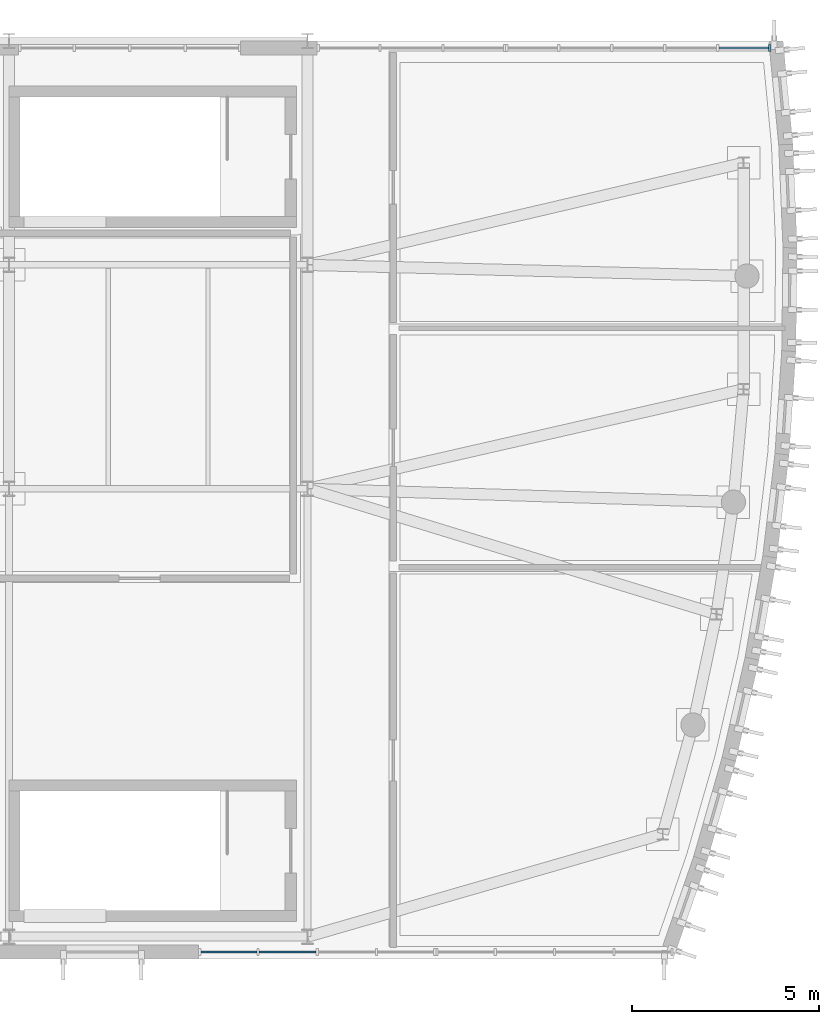
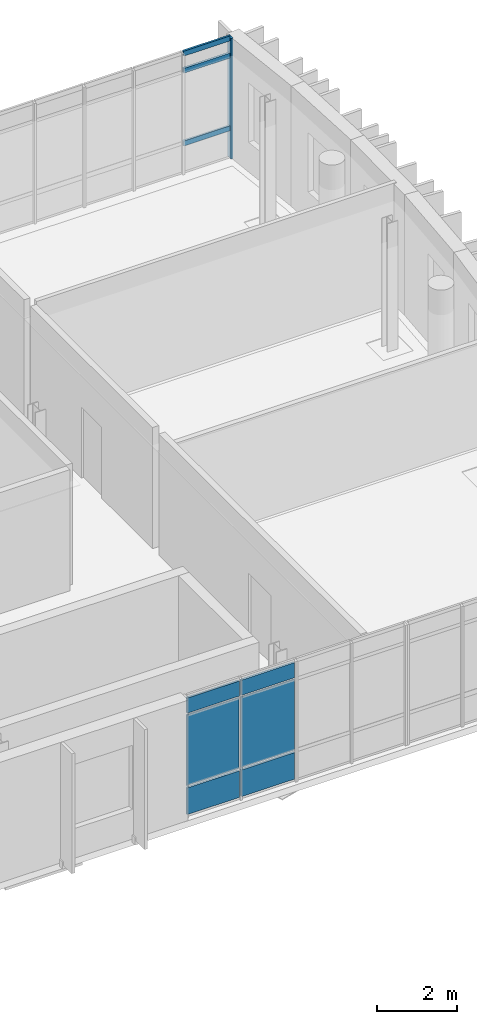
# One storey, part 4 of 9: 6 plates, 4 members, 2 elements without a shape of their own.
"""IFC4 building model written with IfcOpenShell, lengths in metres."""

from ifc_helpers import new_model, si_unit, direction, frame, origin, origin_2d, place, context, subcontext, project, spatial, rectangle, extrude, material, layer, layer_set, material_profile, profile_set, type_object, element, aggregate, save


model = new_model("IFC4")

# Units and contexts
model_context = context("Model", 3, precision=1e-05, world=origin(), true_north=direction((0.0, 1.0)))
body_context = subcontext(model_context, "Body", "Model", "MODEL_VIEW")
ifc_project = project(units=[si_unit("LENGTHUNIT", "METRE"), si_unit("AREAUNIT", "SQUARE_METRE"), si_unit("VOLUMEUNIT", "CUBIC_METRE"), si_unit("PLANEANGLEUNIT", "RADIAN"), si_unit("MASSUNIT", "GRAM", prefix="KILO")], contexts=[model_context])

# Site, building, storey
site_placement = place(None, origin())
site = spatial("IfcSite", under=ifc_project, at=site_placement, CompositionType="ELEMENT")
building_placement = place(site_placement, origin())
building = spatial("IfcBuilding", under=site, at=building_placement, Name="Cymarion Research Institute", CompositionType="ELEMENT")
storey_placement = place(building_placement, frame((0.0, 0.0, 42.300048828125)))
storey = spatial("IfcBuildingStorey", under=building, at=storey_placement, Name="L10", CompositionType="ELEMENT", Elevation=42.300048828125)

# Curtain wall, members
ifc_material_1 = material(Name="Anodised aluminium unitised curtain wall with Low-E glazing", Category="aluminium")
curtain_wall_type_1 = type_object("IfcCurtainWallType", Name="UNITISED CURTAIN WALL CW79 7100X3660", PredefinedType="NOTDEFINED", material=ifc_material_1)
curtain_wall_1_placement = place(storey_placement, origin())
curtain_wall_1 = element("IfcCurtainWall", 1, at=curtain_wall_1_placement, inside=storey, type_object=curtain_wall_type_1, Name="L10 V1 unitised curtain wall CW79 #255", PredefinedType="NOTDEFINED")
ifc_material_2 = material(Name="Anodised aluminium framing", Category="aluminium")
ifc_material_profile_1 = material_profile(ifc_material_2, rectangle(XDim=0.06005859375, YDim=0.179931640625, at=origin_2d()), Name="ALU MULLION 60x180")
ifc_profile_set_1 = profile_set([ifc_material_profile_1], Name="Anodised aluminium framing")
member_type_1 = type_object("IfcMemberType", Name="CURTAIN WALL MULLION ML01 60X180", PredefinedType="MULLION", material=ifc_profile_set_1)
member_1_placement = place(storey_placement, frame((166.98583984375, 29.31005859375, 0.0), z_axis=(0.0, 0.0, 1.0), x_axis=(-1.0, 0.0, 0.0)))
member_1 = element("IfcMember", 2, at=member_1_placement, type_object=member_type_1, Name="CW79 mullion 1", PredefinedType="MULLION", context=body_context, shape_type="SweptSolid", body=[
    extrude(rectangle(XDim=0.06005859375, YDim=0.179931640625, at=origin_2d()), origin(), (0.0, 0.0, 1.0), 3.659912109375),
])
ifc_material_profile_2 = material_profile(ifc_material_2, rectangle(XDim=0.06005859375, YDim=0.14990234375, at=origin_2d()), Name="ALU TRANSOM 60x150")
ifc_profile_set_2 = profile_set([ifc_material_profile_2], Name="Anodised aluminium framing")
member_type_2 = type_object("IfcMemberType", Name="CURTAIN WALL TRANSOM TR01 60X150", PredefinedType="USERDEFINED", material=ifc_profile_set_2)
member_2_placement = place(storey_placement, frame((166.955810546875, 29.31005859375, 0.89990234375), z_axis=(-1.0, 0.0, 0.0), x_axis=(0.0, -1.0, 0.0)))
member_2 = element("IfcMember", 3, at=member_2_placement, type_object=member_type_2, Name="CW79 transom 1.2", ObjectType="TRANSOM", PredefinedType="USERDEFINED", context=body_context, shape_type="SweptSolid", body=[
    extrude(rectangle(XDim=0.06005859375, YDim=0.14990234375, at=origin_2d()), origin(), (0.0, 0.0, 1.0), 1.330810546875),
])
member_3_placement = place(storey_placement, frame((166.955810546875, 29.31005859375, 3.10986328125), z_axis=(-1.0, 0.0, 0.0), x_axis=(0.0, -1.0, 0.0)))
member_3 = element("IfcMember", 4, at=member_3_placement, type_object=member_type_2, Name="CW79 transom 1.3", ObjectType="TRANSOM", PredefinedType="USERDEFINED", context=body_context, shape_type="SweptSolid", body=[
    extrude(rectangle(XDim=0.06005859375, YDim=0.14990234375, at=origin_2d()), origin(), (0.0, 0.0, 1.0), 1.330810546875),
])
member_4_placement = place(storey_placement, frame((166.955810546875, 29.31005859375, 3.6298828125), z_axis=(-1.0, 0.0, 0.0), x_axis=(0.0, -1.0, 0.0)))
member_4 = element("IfcMember", 5, at=member_4_placement, type_object=member_type_2, Name="CW79 transom 1.4", ObjectType="TRANSOM", PredefinedType="USERDEFINED", context=body_context, shape_type="SweptSolid", body=[
    extrude(rectangle(XDim=0.06005859375, YDim=0.14990234375, at=origin_2d()), origin(), (0.0, 0.0, 1.0), 1.330810546875),
])
aggregate(curtain_wall_1, [member_1, member_2, member_3, member_4])

# Curtain wall, plates
curtain_wall_type_2 = type_object("IfcCurtainWallType", Name="UNITISED CURTAIN WALL CW78 6360X3660", PredefinedType="NOTDEFINED", material=ifc_material_1)
curtain_wall_2_placement = place(storey_placement, origin())
curtain_wall_2 = element("IfcCurtainWall", 6, at=curtain_wall_2_placement, inside=storey, type_object=curtain_wall_type_2, Name="L10 V1 unitised curtain wall CW78 #253", PredefinedType="NOTDEFINED")
ifc_material_3 = material(Name="Insulated anodised aluminium spandrel panel", Category="aluminium")
ifc_layer_1 = layer(ifc_material_3, 0.06005859375)
ifc_layer_set_1 = layer_set([ifc_layer_1], Name="Insulated anodised aluminium spandrel panel")
plate_type_1 = type_object("IfcPlateType", Name="INSULATED ALUMINIUM SPANDREL PANEL SP01 60MM", PredefinedType="SHEET", material=ifc_layer_set_1)
plate_1_placement = place(storey_placement, frame((152.490966796875, 5.090087890625, 0.059814453125), z_axis=(0.0, 0.0, 1.0), x_axis=(1.0, 0.0, 0.0)))
plate_1 = element("IfcPlate", 7, at=plate_1_placement, type_object=plate_type_1, Name="CW78 panel 1.1", PredefinedType="SHEET", context=body_context, shape_type="SweptSolid", body=[
    extrude(rectangle(XDim=1.499755859375, YDim=0.06005859375, at=origin_2d()), origin(), (0.0, 0.0, 1.0), 0.81005859375),
])
plate_2_placement = place(storey_placement, frame((152.490966796875, 5.090087890625, 3.139892578125), z_axis=(0.0, 0.0, 1.0), x_axis=(1.0, 0.0, 0.0)))
plate_2 = element("IfcPlate", 8, at=plate_2_placement, type_object=plate_type_1, Name="CW78 panel 1.3", PredefinedType="SHEET", context=body_context, shape_type="SweptSolid", body=[
    extrude(rectangle(XDim=1.499755859375, YDim=0.06005859375, at=origin_2d()), origin(), (0.0, 0.0, 1.0), 0.4599609375),
])
plate_3_placement = place(storey_placement, frame((154.06591796875, 5.090087890625, 0.059814453125), z_axis=(0.0, 0.0, 1.0), x_axis=(1.0, 0.0, 0.0)))
plate_3 = element("IfcPlate", 9, at=plate_3_placement, type_object=plate_type_1, Name="CW78 panel 2.1", PredefinedType="SHEET", context=body_context, shape_type="SweptSolid", body=[
    extrude(rectangle(XDim=1.52978515625, YDim=0.06005859375, at=origin_2d()), origin(), (0.0, 0.0, 1.0), 0.81005859375),
])
plate_4_placement = place(storey_placement, frame((154.06591796875, 5.090087890625, 3.139892578125), z_axis=(0.0, 0.0, 1.0), x_axis=(1.0, 0.0, 0.0)))
plate_4 = element("IfcPlate", 10, at=plate_4_placement, type_object=plate_type_1, Name="CW78 panel 2.3", PredefinedType="SHEET", context=body_context, shape_type="SweptSolid", body=[
    extrude(rectangle(XDim=1.52978515625, YDim=0.06005859375, at=origin_2d()), origin(), (0.0, 0.0, 1.0), 0.4599609375),
])
ifc_material_4 = material(Name="Low-E double solar-control glazing", Category="glass")
ifc_layer_2 = layer(ifc_material_4, 0.035888671875)
ifc_layer_set_2 = layer_set([ifc_layer_2], Name="Low-E double solar-control glazing")
plate_type_2 = type_object("IfcPlateType", Name="SOLAR CONTROL GLAZED VISION PANEL GP01 36MM", PredefinedType="CURTAIN_PANEL", material=ifc_layer_set_2)
plate_5_placement = place(storey_placement, frame((152.490966796875, 5.090087890625, 0.929931640625), z_axis=(0.0, 0.0, 1.0), x_axis=(1.0, 0.0, 0.0)))
plate_5 = element("IfcPlate", 11, at=plate_5_placement, type_object=plate_type_2, Name="CW78 panel 1.2", PredefinedType="CURTAIN_PANEL", context=body_context, shape_type="SweptSolid", body=[
    extrude(rectangle(XDim=1.499755859375, YDim=0.035888671875, at=origin_2d()), origin(), (0.0, 0.0, 1.0), 2.14990234375),
])
plate_6_placement = place(storey_placement, frame((154.06591796875, 5.090087890625, 0.929931640625), z_axis=(0.0, 0.0, 1.0), x_axis=(1.0, 0.0, 0.0)))
plate_6 = element("IfcPlate", 12, at=plate_6_placement, type_object=plate_type_2, Name="CW78 panel 2.2", PredefinedType="CURTAIN_PANEL", context=body_context, shape_type="SweptSolid", body=[
    extrude(rectangle(XDim=1.52978515625, YDim=0.035888671875, at=origin_2d()), origin(), (0.0, 0.0, 1.0), 2.14990234375),
])
aggregate(curtain_wall_2, [plate_1, plate_5, plate_2, plate_3, plate_6, plate_4])

save(model, "model.ifc")
